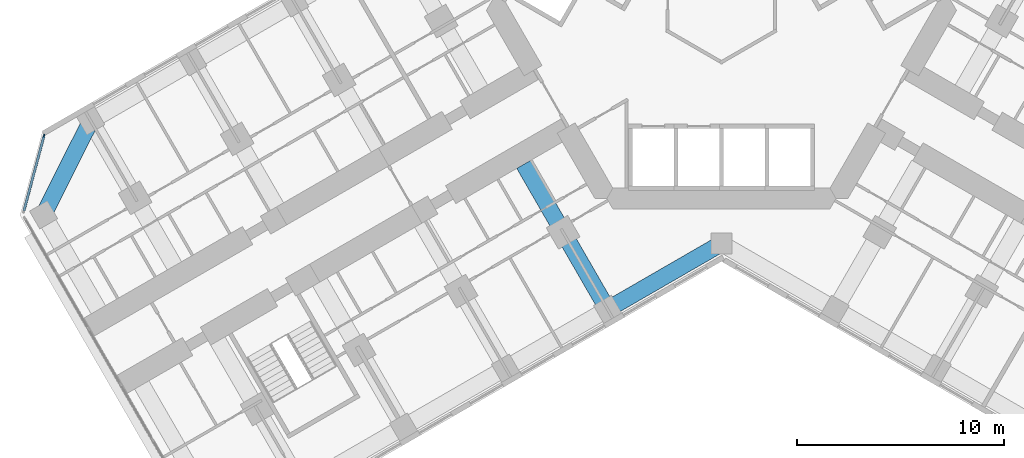
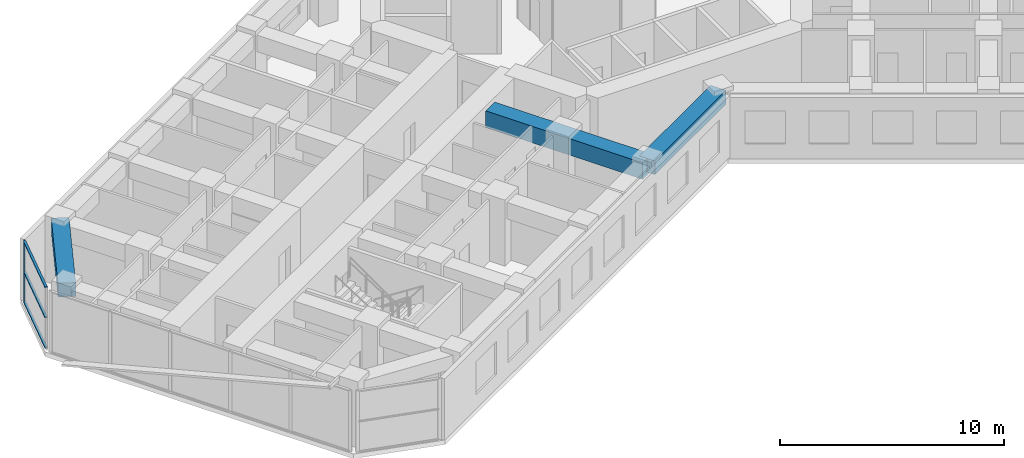
# One storey, part 3 of 21: 4 members, 3 beams, 1 element without a shape of its own.
"""IFC4 building model written with IfcOpenShell, lengths in metres."""

from ifc_helpers import new_model, si_unit, direction, frame, origin, origin_2d, place, context, subcontext, project, spatial, rectangle, extrude, material, material_profile, profile_set, type_object, element, aggregate, save


model = new_model("IFC4")

# Units and contexts
model_context = context("Model", 3, precision=1e-05, world=origin(), true_north=direction((0.0, 1.0)))
body_context = subcontext(model_context, "Body", "Model", "MODEL_VIEW")
ifc_project = project(units=[si_unit("LENGTHUNIT", "METRE"), si_unit("AREAUNIT", "SQUARE_METRE"), si_unit("VOLUMEUNIT", "CUBIC_METRE"), si_unit("PLANEANGLEUNIT", "RADIAN"), si_unit("MASSUNIT", "GRAM", prefix="KILO")], contexts=[model_context])

# Site, building, storey
site_placement = place(None, origin())
site = spatial("IfcSite", under=ifc_project, at=site_placement, CompositionType="ELEMENT")
building_placement = place(site_placement, origin())
building = spatial("IfcBuilding", under=site, at=building_placement, Name="Kosmar Iwan School Tower", CompositionType="ELEMENT")
storey_placement = place(building_placement, frame((0.0, 0.0, 53.800048828125)))
storey = spatial("IfcBuildingStorey", under=building, at=storey_placement, Name="L12", CompositionType="ELEMENT", Elevation=53.800048828125)

# Curtain wall, member
ifc_material_1 = material(Name="Dark glass in black aluminium frame", Category="aluminium")
curtain_wall_type = type_object("IfcCurtainWallType", Name="Chamfer curtain wall dark glass", PredefinedType="USERDEFINED", material=ifc_material_1)
curtain_wall_placement = place(storey_placement, origin())
curtain_wall = element("IfcCurtainWall", 1, at=curtain_wall_placement, inside=storey, type_object=curtain_wall_type, Name="Curtain wall L12-F12", ObjectType="FACETED CURTAIN WALL", PredefinedType="USERDEFINED")
ifc_material_2 = material(Name="Black anodised aluminium", Category="aluminium")
ifc_material_profile_1 = material_profile(ifc_material_2, rectangle(XDim=0.06005859375, YDim=0.159912109375, at=origin_2d()), Name="MULLION 60x160")
ifc_profile_set_1 = profile_set([ifc_material_profile_1], Name="Black anodised aluminium")
member_type_1 = type_object("IfcMemberType", Name="Mullion 60x160", PredefinedType="MULLION", material=ifc_profile_set_1)
member_1_placement = place(storey_placement, frame((-32.78076171875, -6.5732421875, 0.0), z_axis=(0.0, 0.0, 1.0), x_axis=(0.965925875495, -0.258818861462, 0.0)))
member_1 = element("IfcMember", 2, at=member_1_placement, type_object=member_type_1, Name="CW2 mullion 1", PredefinedType="MULLION", context=body_context, shape_type="SweptSolid", body=[
    extrude(rectangle(XDim=0.06005859375, YDim=0.159912109375, at=origin_2d()), origin(), (0.0, 0.0, 1.0), 3.349853515625),
])

# Beams
ifc_material_3 = material(Name="Concrete C50/60", Category="concrete")
ifc_material_profile_2 = material_profile(ifc_material_3, rectangle(XDim=0.800048828125, YDim=0.75, at=origin_2d()), Name="RC 800x750")
ifc_profile_set_2 = profile_set([ifc_material_profile_2], Name="Concrete C50/60")
beam_type_1 = type_object("IfcBeamType", Name="RC edge beam 800x750", PredefinedType="BEAM", material=ifc_profile_set_2)
beam_1_placement = place(storey_placement, frame((0.0, -11.77783203125, 2.974853515625), z_axis=(-0.866014293216, -0.500019243575, 0.0), x_axis=(0.500019243575, -0.866014293216, 0.0)))
element("IfcBeam", 3, at=beam_1_placement, inside=storey, type_object=beam_type_1, Name="Edge beam BL1", PredefinedType="BEAM", context=body_context, shape_type="SweptSolid", body=[
    extrude(rectangle(XDim=0.800048828125, YDim=0.75, at=origin_2d()), origin(), (0.0, 0.0, 1.0), 6.361083984375),
])
ifc_material_4 = material(Name="Concrete C50/60", Category="concrete")
ifc_material_profile_3 = material_profile(ifc_material_4, rectangle(XDim=0.800048828125, YDim=0.75, at=origin_2d()), Name="RC 800x750")
ifc_profile_set_3 = profile_set([ifc_material_profile_3], Name="Concrete C50/60")
beam_type_2 = type_object("IfcBeamType", Name="RC tip beam 800x750", PredefinedType="BEAM", material=ifc_profile_set_3)
beam_2_placement = place(storey_placement, frame((-30.517822265625, -5.841552734375, 2.974853515625), z_axis=(-0.44809604203, -0.893985423325, 0.0), x_axis=(0.893985423325, -0.44809604203, 0.0)))
element("IfcBeam", 4, at=beam_2_placement, inside=storey, type_object=beam_type_2, Name="Tip beam BR", PredefinedType="BEAM", context=body_context, shape_type="SweptSolid", body=[
    extrude(rectangle(XDim=0.800048828125, YDim=0.75, at=origin_2d()), origin(), (0.0, 0.0, 1.0), 5.08935546875),
])
ifc_material_5 = material(Name="Concrete C50/60", Category="concrete")
ifc_material_profile_4 = material_profile(ifc_material_5, rectangle(XDim=0.800048828125, YDim=0.89990234375, at=origin_2d()), Name="RC 800x900")
ifc_profile_set_4 = profile_set([ifc_material_profile_4], Name="Concrete C50/60")
beam_type_3 = type_object("IfcBeamType", Name="RC transverse beam 800x900", PredefinedType="BEAM", material=ifc_profile_set_4)
beam_3_placement = place(storey_placement, frame((-5.5087890625, -14.95849609375, 2.89990234375), z_axis=(-0.499999880539, 0.866025472755, 0.0), x_axis=(-0.866025472755, -0.499999880539, 0.0)))
element("IfcBeam", 5, at=beam_3_placement, inside=storey, type_object=beam_type_3, Name="Transverse beam BL1", PredefinedType="BEAM", context=body_context, shape_type="SweptSolid", body=[
    extrude(rectangle(XDim=0.800048828125, YDim=0.89990234375, at=origin_2d()), origin(), (0.0, 0.0, 1.0), 8.10009765625),
])

# Member
ifc_material_6 = material(Name="Black anodised aluminium", Category="aluminium")
ifc_material_profile_5 = material_profile(ifc_material_6, rectangle(XDim=0.1201171875, YDim=0.06005859375, at=origin_2d()), Name="TRANSOM 60x120")
ifc_profile_set_5 = profile_set([ifc_material_profile_5], Name="Black anodised aluminium")
member_type_2 = type_object("IfcMemberType", Name="Transom 60x120", PredefinedType="USERDEFINED", material=ifc_profile_set_5)
member_2_placement = place(storey_placement, frame((-32.788330078125, -6.602294921875, 0.030029296875), z_axis=(-0.258843273983, -0.965919333854, 0.0), x_axis=(0.965919333854, -0.258843273983, 0.0)))
member_2 = element("IfcMember", 6, at=member_2_placement, type_object=member_type_2, Name="CW2 transom 1.1", ObjectType="TRANSOM", PredefinedType="USERDEFINED", context=body_context, shape_type="SweptSolid", body=[
    extrude(rectangle(XDim=0.1201171875, YDim=0.06005859375, at=origin_2d()), origin(), (0.0, 0.0, 1.0), 3.718994140625),
])

member_3_placement = place(storey_placement, frame((-32.788330078125, -6.602294921875, 1.675048828125), z_axis=(-0.258843273983, -0.965919333854, 0.0), x_axis=(0.965919333854, -0.258843273983, 0.0)))
member_3 = element("IfcMember", 7, at=member_3_placement, type_object=member_type_2, Name="CW2 transom 1.2", ObjectType="TRANSOM", PredefinedType="USERDEFINED", context=body_context, shape_type="SweptSolid", body=[
    extrude(rectangle(XDim=0.1201171875, YDim=0.06005859375, at=origin_2d()), origin(), (0.0, 0.0, 1.0), 3.718994140625),
])

member_4_placement = place(storey_placement, frame((-32.788330078125, -6.602294921875, 3.320068359375), z_axis=(-0.258843273983, -0.965919333854, 0.0), x_axis=(0.965919333854, -0.258843273983, 0.0)))
member_4 = element("IfcMember", 8, at=member_4_placement, type_object=member_type_2, Name="CW2 transom 1.3", ObjectType="TRANSOM", PredefinedType="USERDEFINED", context=body_context, shape_type="SweptSolid", body=[
    extrude(rectangle(XDim=0.1201171875, YDim=0.06005859375, at=origin_2d()), origin(), (0.0, 0.0, 1.0), 3.718994140625),
])

aggregate(curtain_wall, [member_1, member_2, member_3, member_4])

save(model, "model.ifc")
